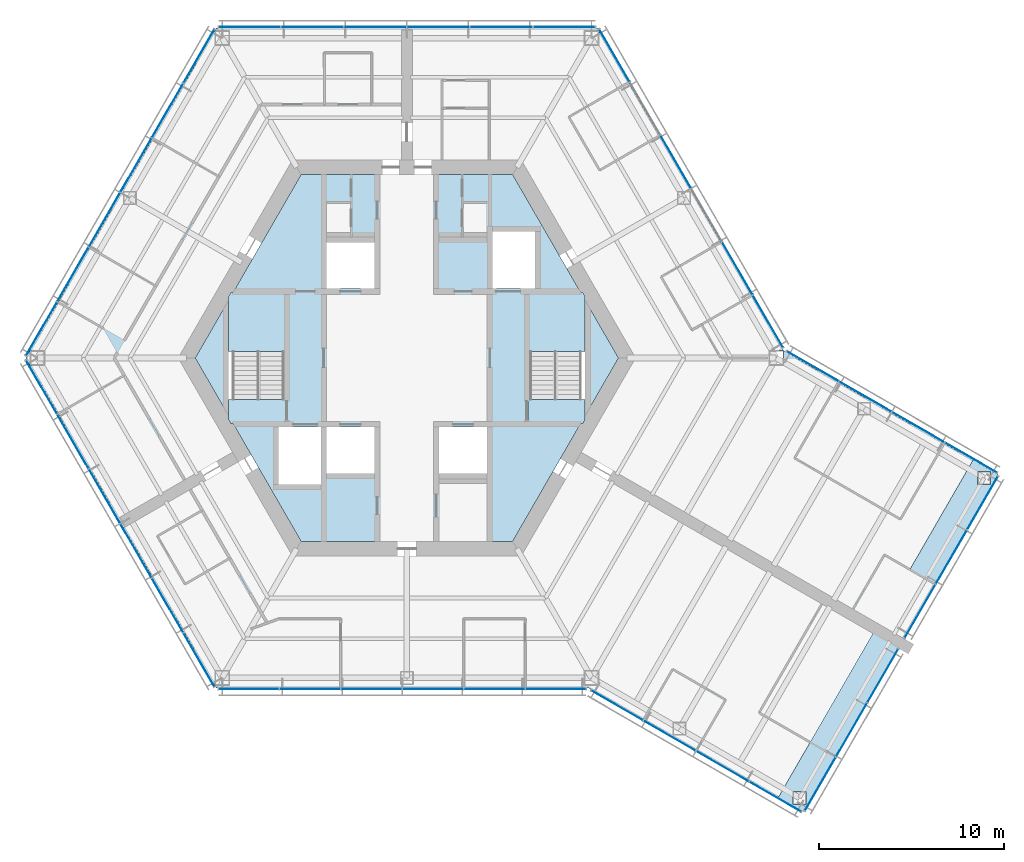
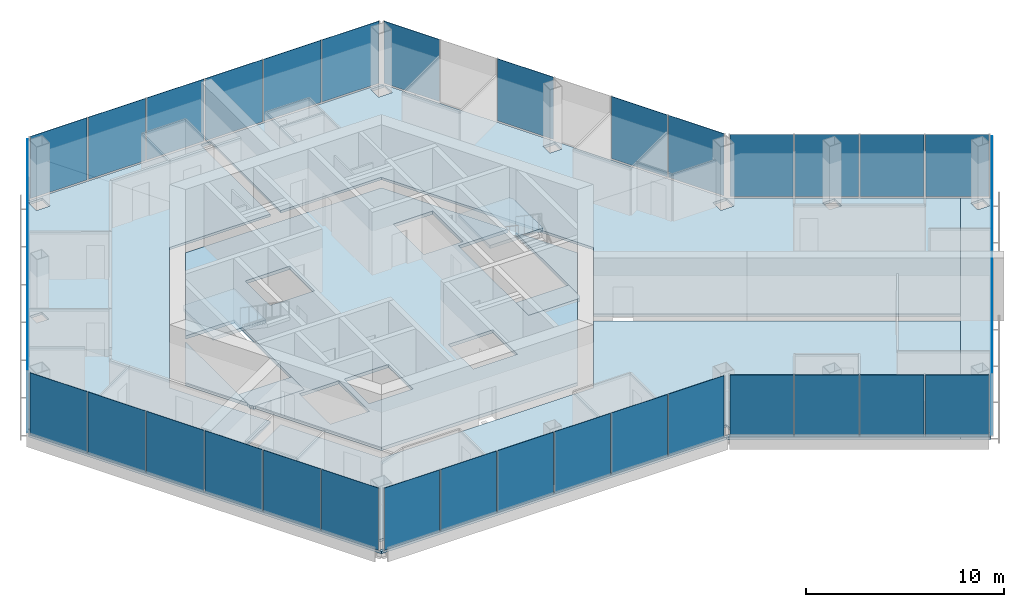
# One storey, part 8 of 16: 42 plates, 9 slabs, 11 elements without a shape of their own.
"""IFC4 building model written with IfcOpenShell, lengths in metres."""

from ifc_helpers import new_model, si_unit, direction, frame, origin, origin_2d, place, context, subcontext, project, spatial, polyline, rectangle, outline, extrude, material, layer, layer_set, type_object, element, aggregate, save


model = new_model("IFC4")

# Units and contexts
model_context = context("Model", 3, precision=1e-05, world=origin(), true_north=direction((0.0, 1.0)))
body_context = subcontext(model_context, "Body", "Model", "MODEL_VIEW")
ifc_project = project(units=[si_unit("LENGTHUNIT", "METRE"), si_unit("AREAUNIT", "SQUARE_METRE"), si_unit("VOLUMEUNIT", "CUBIC_METRE"), si_unit("PLANEANGLEUNIT", "RADIAN"), si_unit("MASSUNIT", "GRAM", prefix="KILO")], contexts=[model_context])

# Site, building, storey
site_placement = place(None, origin())
site = spatial("IfcSite", under=ifc_project, at=site_placement, CompositionType="ELEMENT")
building_placement = place(site_placement, origin())
building = spatial("IfcBuilding", under=site, at=building_placement, Name="Kasaneha Research Tower", CompositionType="ELEMENT")
storey_placement = place(building_placement, frame((0.0, 0.0, 251.800048828125)))
storey = spatial("IfcBuildingStorey", under=building, at=storey_placement, Name="L63", CompositionType="ELEMENT", Elevation=251.800048828125)

# Curtain wall, plates
ifc_material_1 = material(Name="Glass and aluminium", Category="aluminium")
curtain_wall_type = type_object("IfcCurtainWallType", Name="High-rise office curtain wall", PredefinedType="USERDEFINED", material=ifc_material_1)
curtain_wall_1_placement = place(storey_placement, origin())
curtain_wall_1 = element("IfcCurtainWall", 1, at=curtain_wall_1_placement, inside=storey, type_object=curtain_wall_type, Name="CW-O3 L63 run 01a", ObjectType="UNITISED CURTAIN WALL", PredefinedType="USERDEFINED")
ifc_material_2 = material(Name="Laminated double glazing", Category="glass")
ifc_layer_1 = layer(ifc_material_2, 0.02392578125)
ifc_layer_set_1 = layer_set([ifc_layer_1], Name="CW-O3 glazed panel")
plate_type = type_object("IfcPlateType", Name="CW-O3 glazed panel", PredefinedType="CURTAIN_PANEL", material=ifc_layer_set_1)
plate_1_placement = place(storey_placement, frame((19.549072265625, 1.981201171875, 0.06005859375), z_axis=(0.0, 0.0, 1.0), x_axis=(-0.499999979232, 0.866025415775, 0.0)))
plate_1 = element("IfcPlate", 2, at=plate_1_placement, type_object=plate_type, Name="CW-O3 panel 1", PredefinedType="CURTAIN_PANEL", context=body_context, shape_type="SweptSolid", body=[
    extrude(rectangle(XDim=3.240966796875, YDim=0.02392578125, at=origin_2d()), origin(), (0.0, 0.0, 1.0), 3.840087890625),
])
plate_2_placement = place(storey_placement, frame((17.89111328125, 4.852783203125, 0.06005859375), z_axis=(0.0, 0.0, 1.0), x_axis=(-0.499999979232, 0.866025415775, 0.0)))
plate_2 = element("IfcPlate", 3, at=plate_2_placement, type_object=plate_type, Name="CW-O3 panel 2", PredefinedType="CURTAIN_PANEL", context=body_context, shape_type="SweptSolid", body=[
    extrude(rectangle(XDim=3.27099609375, YDim=0.02392578125, at=origin_2d()), origin(), (0.0, 0.0, 1.0), 3.840087890625),
])
plate_3_placement = place(storey_placement, frame((14.56005859375, 10.622314453125, 0.06005859375), z_axis=(0.0, 0.0, 1.0), x_axis=(-0.499999979232, 0.866025415775, 0.0)))
plate_3 = element("IfcPlate", 4, at=plate_3_placement, type_object=plate_type, Name="CW-O3 panel 4", PredefinedType="CURTAIN_PANEL", context=body_context, shape_type="SweptSolid", body=[
    extrude(rectangle(XDim=3.27099609375, YDim=0.02392578125, at=origin_2d()), origin(), (0.0, 0.0, 1.0), 3.840087890625),
])
plate_4_placement = place(storey_placement, frame((11.236572265625, 16.378662109375, 0.06005859375), z_axis=(0.0, 0.0, 1.0), x_axis=(-0.499999979232, 0.866025415775, 0.0)))
plate_4 = element("IfcPlate", 5, at=plate_4_placement, type_object=plate_type, Name="CW-O3 panel 6", PredefinedType="CURTAIN_PANEL", context=body_context, shape_type="SweptSolid", body=[
    extrude(rectangle(XDim=3.240966796875, YDim=0.02392578125, at=origin_2d()), origin(), (0.0, 0.0, 1.0), 3.840087890625),
])
aggregate(curtain_wall_1, [plate_1, plate_2, plate_3, plate_4])

curtain_wall_2_placement = place(storey_placement, origin())
curtain_wall_2 = element("IfcCurtainWall", 6, at=curtain_wall_2_placement, inside=storey, type_object=curtain_wall_type, Name="CW-O3 L63 run 02a", ObjectType="UNITISED CURTAIN WALL", PredefinedType="USERDEFINED")
plate_5_placement = place(storey_placement, frame((8.523681640625, 17.92041015625, 0.06005859375), z_axis=(0.0, 0.0, 1.0), x_axis=(-1.0, 0.0, 0.0)))
plate_5 = element("IfcPlate", 7, at=plate_5_placement, type_object=plate_type, Name="CW-O3 panel 1", PredefinedType="CURTAIN_PANEL", context=body_context, shape_type="SweptSolid", body=[
    extrude(rectangle(XDim=3.325439453125, YDim=0.02392578125, at=origin_2d()), origin(), (0.0, 0.0, 1.0), 3.840087890625),
])
plate_6_placement = place(storey_placement, frame((5.123291015625, 17.92041015625, 0.06005859375), z_axis=(0.0, 0.0, 1.0), x_axis=(-1.0, 0.0, 0.0)))
plate_6 = element("IfcPlate", 8, at=plate_6_placement, type_object=plate_type, Name="CW-O3 panel 2", PredefinedType="CURTAIN_PANEL", context=body_context, shape_type="SweptSolid", body=[
    extrude(rectangle(XDim=3.35546875, YDim=0.02392578125, at=origin_2d()), origin(), (0.0, 0.0, 1.0), 3.840087890625),
])
plate_7_placement = place(storey_placement, frame((1.707763671875, 17.92041015625, 0.06005859375), z_axis=(0.0, 0.0, 1.0), x_axis=(-1.0, 0.0, 0.0)))
plate_7 = element("IfcPlate", 9, at=plate_7_placement, type_object=plate_type, Name="CW-O3 panel 3", PredefinedType="CURTAIN_PANEL", context=body_context, shape_type="SweptSolid", body=[
    extrude(rectangle(XDim=3.35546875, YDim=0.02392578125, at=origin_2d()), origin(), (0.0, 0.0, 1.0), 3.840087890625),
])
plate_8_placement = place(storey_placement, frame((-1.707763671875, 17.92041015625, 0.06005859375), z_axis=(0.0, 0.0, 1.0), x_axis=(-1.0, 0.0, 0.0)))
plate_8 = element("IfcPlate", 10, at=plate_8_placement, type_object=plate_type, Name="CW-O3 panel 4", PredefinedType="CURTAIN_PANEL", context=body_context, shape_type="SweptSolid", body=[
    extrude(rectangle(XDim=3.35546875, YDim=0.02392578125, at=origin_2d()), origin(), (0.0, 0.0, 1.0), 3.840087890625),
])
plate_9_placement = place(storey_placement, frame((-5.123291015625, 17.92041015625, 0.06005859375), z_axis=(0.0, 0.0, 1.0), x_axis=(-1.0, 0.0, 0.0)))
plate_9 = element("IfcPlate", 11, at=plate_9_placement, type_object=plate_type, Name="CW-O3 panel 5", PredefinedType="CURTAIN_PANEL", context=body_context, shape_type="SweptSolid", body=[
    extrude(rectangle(XDim=3.35546875, YDim=0.02392578125, at=origin_2d()), origin(), (0.0, 0.0, 1.0), 3.840087890625),
])
plate_10_placement = place(storey_placement, frame((-8.523681640625, 17.92041015625, 0.06005859375), z_axis=(0.0, 0.0, 1.0), x_axis=(-1.0, 0.0, 0.0)))
plate_10 = element("IfcPlate", 12, at=plate_10_placement, type_object=plate_type, Name="CW-O3 panel 6", PredefinedType="CURTAIN_PANEL", context=body_context, shape_type="SweptSolid", body=[
    extrude(rectangle(XDim=3.325439453125, YDim=0.02392578125, at=origin_2d()), origin(), (0.0, 0.0, 1.0), 3.840087890625),
])
aggregate(curtain_wall_2, [plate_5, plate_6, plate_7, plate_8, plate_9, plate_10])

curtain_wall_3_placement = place(storey_placement, origin())
curtain_wall_3 = element("IfcCurtainWall", 13, at=curtain_wall_3_placement, inside=storey, type_object=curtain_wall_type, Name="CW-O3 L63 run 03a", ObjectType="UNITISED CURTAIN WALL", PredefinedType="USERDEFINED")
plate_11_placement = place(storey_placement, frame((-11.2578125, 16.342041015625, 0.06005859375), z_axis=(0.0, 0.0, 1.0), x_axis=(-0.499999995722, -0.866025406254, 0.0)))
plate_11 = element("IfcPlate", 14, at=plate_11_placement, type_object=plate_type, Name="CW-O3 panel 1", PredefinedType="CURTAIN_PANEL", context=body_context, shape_type="SweptSolid", body=[
    extrude(rectangle(XDim=3.325439453125, YDim=0.02392578125, at=origin_2d()), origin(), (0.0, 0.0, 1.0), 3.840087890625),
])
plate_12_placement = place(storey_placement, frame((-12.9580078125, 13.39697265625, 0.06005859375), z_axis=(0.0, 0.0, 1.0), x_axis=(-0.499999995722, -0.866025406254, 0.0)))
plate_12 = element("IfcPlate", 15, at=plate_12_placement, type_object=plate_type, Name="CW-O3 panel 2", PredefinedType="CURTAIN_PANEL", context=body_context, shape_type="SweptSolid", body=[
    extrude(rectangle(XDim=3.35546875, YDim=0.02392578125, at=origin_2d()), origin(), (0.0, 0.0, 1.0), 3.840087890625),
])
plate_13_placement = place(storey_placement, frame((-14.665771484375, 10.439208984375, 0.06005859375), z_axis=(0.0, 0.0, 1.0), x_axis=(-0.499999995722, -0.866025406254, 0.0)))
plate_13 = element("IfcPlate", 16, at=plate_13_placement, type_object=plate_type, Name="CW-O3 panel 3", PredefinedType="CURTAIN_PANEL", context=body_context, shape_type="SweptSolid", body=[
    extrude(rectangle(XDim=3.35546875, YDim=0.02392578125, at=origin_2d()), origin(), (0.0, 0.0, 1.0), 3.840087890625),
])
plate_14_placement = place(storey_placement, frame((-16.37353515625, 7.481201171875, 0.06005859375), z_axis=(0.0, 0.0, 1.0), x_axis=(-0.499999995722, -0.866025406254, 0.0)))
plate_14 = element("IfcPlate", 17, at=plate_14_placement, type_object=plate_type, Name="CW-O3 panel 4", PredefinedType="CURTAIN_PANEL", context=body_context, shape_type="SweptSolid", body=[
    extrude(rectangle(XDim=3.35546875, YDim=0.02392578125, at=origin_2d()), origin(), (0.0, 0.0, 1.0), 3.840087890625),
])
plate_15_placement = place(storey_placement, frame((-18.081298828125, 4.5234375, 0.06005859375), z_axis=(0.0, 0.0, 1.0), x_axis=(-0.499999995722, -0.866025406254, 0.0)))
plate_15 = element("IfcPlate", 18, at=plate_15_placement, type_object=plate_type, Name="CW-O3 panel 5", PredefinedType="CURTAIN_PANEL", context=body_context, shape_type="SweptSolid", body=[
    extrude(rectangle(XDim=3.35546875, YDim=0.02392578125, at=origin_2d()), origin(), (0.0, 0.0, 1.0), 3.840087890625),
])
plate_16_placement = place(storey_placement, frame((-19.781494140625, 1.57861328125, 0.06005859375), z_axis=(0.0, 0.0, 1.0), x_axis=(-0.499999995722, -0.866025406254, 0.0)))
plate_16 = element("IfcPlate", 19, at=plate_16_placement, type_object=plate_type, Name="CW-O3 panel 6", PredefinedType="CURTAIN_PANEL", context=body_context, shape_type="SweptSolid", body=[
    extrude(rectangle(XDim=3.325439453125, YDim=0.02392578125, at=origin_2d()), origin(), (0.0, 0.0, 1.0), 3.840087890625),
])
aggregate(curtain_wall_3, [plate_11, plate_12, plate_13, plate_14, plate_15, plate_16])

curtain_wall_4_placement = place(storey_placement, origin())
curtain_wall_4 = element("IfcCurtainWall", 20, at=curtain_wall_4_placement, inside=storey, type_object=curtain_wall_type, Name="CW-O3 L63 run 04a", ObjectType="UNITISED CURTAIN WALL", PredefinedType="USERDEFINED")
plate_17_placement = place(storey_placement, frame((-19.781494140625, -1.57861328125, 0.06005859375), z_axis=(0.0, 0.0, 1.0), x_axis=(0.499999995722, -0.866025406254, 0.0)))
plate_17 = element("IfcPlate", 21, at=plate_17_placement, type_object=plate_type, Name="CW-O3 panel 1", PredefinedType="CURTAIN_PANEL", context=body_context, shape_type="SweptSolid", body=[
    extrude(rectangle(XDim=3.325439453125, YDim=0.02392578125, at=origin_2d()), origin(), (0.0, 0.0, 1.0), 3.840087890625),
])
plate_18_placement = place(storey_placement, frame((-18.081298828125, -4.5234375, 0.06005859375), z_axis=(0.0, 0.0, 1.0), x_axis=(0.499999995722, -0.866025406254, 0.0)))
plate_18 = element("IfcPlate", 22, at=plate_18_placement, type_object=plate_type, Name="CW-O3 panel 2", PredefinedType="CURTAIN_PANEL", context=body_context, shape_type="SweptSolid", body=[
    extrude(rectangle(XDim=3.35546875, YDim=0.02392578125, at=origin_2d()), origin(), (0.0, 0.0, 1.0), 3.840087890625),
])
plate_19_placement = place(storey_placement, frame((-16.37353515625, -7.481201171875, 0.06005859375), z_axis=(0.0, 0.0, 1.0), x_axis=(0.499999995722, -0.866025406254, 0.0)))
plate_19 = element("IfcPlate", 23, at=plate_19_placement, type_object=plate_type, Name="CW-O3 panel 3", PredefinedType="CURTAIN_PANEL", context=body_context, shape_type="SweptSolid", body=[
    extrude(rectangle(XDim=3.35546875, YDim=0.02392578125, at=origin_2d()), origin(), (0.0, 0.0, 1.0), 3.840087890625),
])
plate_20_placement = place(storey_placement, frame((-14.665771484375, -10.439208984375, 0.06005859375), z_axis=(0.0, 0.0, 1.0), x_axis=(0.499999995722, -0.866025406254, 0.0)))
plate_20 = element("IfcPlate", 24, at=plate_20_placement, type_object=plate_type, Name="CW-O3 panel 4", PredefinedType="CURTAIN_PANEL", context=body_context, shape_type="SweptSolid", body=[
    extrude(rectangle(XDim=3.35546875, YDim=0.02392578125, at=origin_2d()), origin(), (0.0, 0.0, 1.0), 3.840087890625),
])
plate_21_placement = place(storey_placement, frame((-12.9580078125, -13.39697265625, 0.06005859375), z_axis=(0.0, 0.0, 1.0), x_axis=(0.499999995722, -0.866025406254, 0.0)))
plate_21 = element("IfcPlate", 25, at=plate_21_placement, type_object=plate_type, Name="CW-O3 panel 5", PredefinedType="CURTAIN_PANEL", context=body_context, shape_type="SweptSolid", body=[
    extrude(rectangle(XDim=3.35546875, YDim=0.02392578125, at=origin_2d()), origin(), (0.0, 0.0, 1.0), 3.840087890625),
])
plate_22_placement = place(storey_placement, frame((-11.2578125, -16.342041015625, 0.06005859375), z_axis=(0.0, 0.0, 1.0), x_axis=(0.499999995722, -0.866025406254, 0.0)))
plate_22 = element("IfcPlate", 26, at=plate_22_placement, type_object=plate_type, Name="CW-O3 panel 6", PredefinedType="CURTAIN_PANEL", context=body_context, shape_type="SweptSolid", body=[
    extrude(rectangle(XDim=3.325439453125, YDim=0.02392578125, at=origin_2d()), origin(), (0.0, 0.0, 1.0), 3.840087890625),
])
aggregate(curtain_wall_4, [plate_17, plate_18, plate_19, plate_20, plate_21, plate_22])

curtain_wall_5_placement = place(storey_placement, origin())
curtain_wall_5 = element("IfcCurtainWall", 27, at=curtain_wall_5_placement, inside=storey, type_object=curtain_wall_type, Name="CW-O3 L63 run 05a", ObjectType="UNITISED CURTAIN WALL", PredefinedType="USERDEFINED")
plate_23_placement = place(storey_placement, frame((-8.56591796875, -17.92041015625, 0.06005859375), z_axis=(0.0, 0.0, 1.0), x_axis=(1.0, 0.0, 0.0)))
plate_23 = element("IfcPlate", 28, at=plate_23_placement, type_object=plate_type, Name="CW-O3 panel 1", PredefinedType="CURTAIN_PANEL", context=body_context, shape_type="SweptSolid", body=[
    extrude(rectangle(XDim=3.240966796875, YDim=0.02392578125, at=origin_2d()), origin(), (0.0, 0.0, 1.0), 3.840087890625),
])
plate_24_placement = place(storey_placement, frame((-5.25, -17.92041015625, 0.06005859375), z_axis=(0.0, 0.0, 1.0), x_axis=(1.0, 0.0, 0.0)))
plate_24 = element("IfcPlate", 29, at=plate_24_placement, type_object=plate_type, Name="CW-O3 panel 2", PredefinedType="CURTAIN_PANEL", context=body_context, shape_type="SweptSolid", body=[
    extrude(rectangle(XDim=3.27099609375, YDim=0.02392578125, at=origin_2d()), origin(), (0.0, 0.0, 1.0), 3.840087890625),
])
plate_25_placement = place(storey_placement, frame((-1.9189453125, -17.92041015625, 0.06005859375), z_axis=(0.0, 0.0, 1.0), x_axis=(1.0, 0.0, 0.0)))
plate_25 = element("IfcPlate", 30, at=plate_25_placement, type_object=plate_type, Name="CW-O3 panel 3", PredefinedType="CURTAIN_PANEL", context=body_context, shape_type="SweptSolid", body=[
    extrude(rectangle(XDim=3.27099609375, YDim=0.02392578125, at=origin_2d()), origin(), (0.0, 0.0, 1.0), 3.840087890625),
])
plate_26_placement = place(storey_placement, frame((1.411865234375, -17.92041015625, 0.06005859375), z_axis=(0.0, 0.0, 1.0), x_axis=(1.0, 0.0, 0.0)))
plate_26 = element("IfcPlate", 31, at=plate_26_placement, type_object=plate_type, Name="CW-O3 panel 4", PredefinedType="CURTAIN_PANEL", context=body_context, shape_type="SweptSolid", body=[
    extrude(rectangle(XDim=3.27099609375, YDim=0.02392578125, at=origin_2d()), origin(), (0.0, 0.0, 1.0), 3.840087890625),
])
plate_27_placement = place(storey_placement, frame((4.742919921875, -17.92041015625, 0.06005859375), z_axis=(0.0, 0.0, 1.0), x_axis=(1.0, 0.0, 0.0)))
plate_27 = element("IfcPlate", 32, at=plate_27_placement, type_object=plate_type, Name="CW-O3 panel 5", PredefinedType="CURTAIN_PANEL", context=body_context, shape_type="SweptSolid", body=[
    extrude(rectangle(XDim=3.27099609375, YDim=0.02392578125, at=origin_2d()), origin(), (0.0, 0.0, 1.0), 3.840087890625),
])
plate_28_placement = place(storey_placement, frame((8.058837890625, -17.92041015625, 0.06005859375), z_axis=(0.0, 0.0, 1.0), x_axis=(1.0, 0.0, 0.0)))
plate_28 = element("IfcPlate", 33, at=plate_28_placement, type_object=plate_type, Name="CW-O3 panel 6", PredefinedType="CURTAIN_PANEL", context=body_context, shape_type="SweptSolid", body=[
    extrude(rectangle(XDim=3.240966796875, YDim=0.02392578125, at=origin_2d()), origin(), (0.0, 0.0, 1.0), 3.840087890625),
])
aggregate(curtain_wall_5, [plate_23, plate_24, plate_25, plate_26, plate_27, plate_28])

curtain_wall_6_placement = place(storey_placement, origin())
curtain_wall_6 = element("IfcCurtainWall", 34, at=curtain_wall_6_placement, inside=storey, type_object=curtain_wall_type, Name="CW-O3 L63 run 06a", ObjectType="UNITISED CURTAIN WALL", PredefinedType="USERDEFINED")
plate_29_placement = place(storey_placement, frame((11.3720703125, -18.805419921875, 0.06005859375), z_axis=(0.0, 0.0, 1.0), x_axis=(0.866025411464, -0.499999986699, 0.0)))
plate_29 = element("IfcPlate", 35, at=plate_29_placement, type_object=plate_type, Name="CW-O3 panel 1", PredefinedType="CURTAIN_PANEL", context=body_context, shape_type="SweptSolid", body=[
    extrude(rectangle(XDim=3.2197265625, YDim=0.02392578125, at=origin_2d()), origin(), (0.0, 0.0, 1.0), 3.840087890625),
])
plate_30_placement = place(storey_placement, frame((14.225341796875, -20.452880859375, 0.06005859375), z_axis=(0.0, 0.0, 1.0), x_axis=(0.866025411464, -0.499999986699, 0.0)))
plate_30 = element("IfcPlate", 36, at=plate_30_placement, type_object=plate_type, Name="CW-O3 panel 2", PredefinedType="CURTAIN_PANEL", context=body_context, shape_type="SweptSolid", body=[
    extrude(rectangle(XDim=3.249755859375, YDim=0.02392578125, at=origin_2d()), origin(), (0.0, 0.0, 1.0), 3.840087890625),
])
plate_31_placement = place(storey_placement, frame((17.091796875, -22.107666015625, 0.06005859375), z_axis=(0.0, 0.0, 1.0), x_axis=(0.866025411464, -0.499999986699, 0.0)))
plate_31 = element("IfcPlate", 37, at=plate_31_placement, type_object=plate_type, Name="CW-O3 panel 3", PredefinedType="CURTAIN_PANEL", context=body_context, shape_type="SweptSolid", body=[
    extrude(rectangle(XDim=3.249755859375, YDim=0.02392578125, at=origin_2d()), origin(), (0.0, 0.0, 1.0), 3.840087890625),
])
plate_32_placement = place(storey_placement, frame((19.945068359375, -23.755126953125, 0.06005859375), z_axis=(0.0, 0.0, 1.0), x_axis=(0.866025411464, -0.499999986699, 0.0)))
plate_32 = element("IfcPlate", 38, at=plate_32_placement, type_object=plate_type, Name="CW-O3 panel 4", PredefinedType="CURTAIN_PANEL", context=body_context, shape_type="SweptSolid", body=[
    extrude(rectangle(XDim=3.2197265625, YDim=0.02392578125, at=origin_2d()), origin(), (0.0, 0.0, 1.0), 3.840087890625),
])
aggregate(curtain_wall_6, [plate_29, plate_30, plate_31, plate_32])

curtain_wall_7_placement = place(storey_placement, origin())
curtain_wall_7 = element("IfcCurtainWall", 39, at=curtain_wall_7_placement, inside=storey, type_object=curtain_wall_type, Name="CW-O3 L63 run 07a", ObjectType="UNITISED CURTAIN WALL", PredefinedType="USERDEFINED")
plate_33_placement = place(storey_placement, frame((22.385498046875, -23.068359375, 0.06005859375), z_axis=(0.0, 0.0, 1.0), x_axis=(0.500000011442, 0.866025397178, 0.0)))
plate_33 = element("IfcPlate", 40, at=plate_33_placement, type_object=plate_type, Name="CW-O3 panel 1", PredefinedType="CURTAIN_PANEL", context=body_context, shape_type="SweptSolid", body=[
    extrude(rectangle(XDim=3.31005859375, YDim=0.02392578125, at=origin_2d()), origin(), (0.0, 0.0, 1.0), 3.840087890625),
])
plate_34_placement = place(storey_placement, frame((24.077880859375, -20.13671875, 0.06005859375), z_axis=(0.0, 0.0, 1.0), x_axis=(0.500000011442, 0.866025397178, 0.0)))
plate_34 = element("IfcPlate", 41, at=plate_34_placement, type_object=plate_type, Name="CW-O3 panel 2", PredefinedType="CURTAIN_PANEL", context=body_context, shape_type="SweptSolid", body=[
    extrude(rectangle(XDim=3.340087890625, YDim=0.02392578125, at=origin_2d()), origin(), (0.0, 0.0, 1.0), 3.840087890625),
])
plate_35_placement = place(storey_placement, frame((25.7705078125, -17.205322265625, 0.06005859375), z_axis=(0.0, 0.0, 1.0), x_axis=(0.500000011442, 0.866025397178, 0.0)))
plate_35 = element("IfcPlate", 42, at=plate_35_placement, type_object=plate_type, Name="CW-O3 panel 3", PredefinedType="CURTAIN_PANEL", context=body_context, shape_type="SweptSolid", body=[
    extrude(rectangle(XDim=3.31005859375, YDim=0.02392578125, at=origin_2d()), origin(), (0.0, 0.0, 1.0), 3.840087890625),
])
aggregate(curtain_wall_7, [plate_33, plate_34, plate_35])

curtain_wall_8_placement = place(storey_placement, origin())
curtain_wall_8 = element("IfcCurtainWall", 43, at=curtain_wall_8_placement, inside=storey, type_object=curtain_wall_type, Name="CW-O3 L63 run 08a", ObjectType="UNITISED CURTAIN WALL", PredefinedType="USERDEFINED")
plate_36_placement = place(storey_placement, frame((27.785400390625, -13.71533203125, 0.06005859375), z_axis=(0.0, 0.0, 1.0), x_axis=(0.500000011442, 0.866025397178, 0.0)))
plate_36 = element("IfcPlate", 44, at=plate_36_placement, type_object=plate_type, Name="CW-O3 panel 1", PredefinedType="CURTAIN_PANEL", context=body_context, shape_type="SweptSolid", body=[
    extrude(rectangle(XDim=3.31005859375, YDim=0.02392578125, at=origin_2d()), origin(), (0.0, 0.0, 1.0), 3.840087890625),
])
plate_37_placement = place(storey_placement, frame((29.47802734375, -10.78369140625, 0.06005859375), z_axis=(0.0, 0.0, 1.0), x_axis=(0.500000011442, 0.866025397178, 0.0)))
plate_37 = element("IfcPlate", 45, at=plate_37_placement, type_object=plate_type, Name="CW-O3 panel 2", PredefinedType="CURTAIN_PANEL", context=body_context, shape_type="SweptSolid", body=[
    extrude(rectangle(XDim=3.340087890625, YDim=0.02392578125, at=origin_2d()), origin(), (0.0, 0.0, 1.0), 3.840087890625),
])
plate_38_placement = place(storey_placement, frame((31.17041015625, -7.852294921875, 0.06005859375), z_axis=(0.0, 0.0, 1.0), x_axis=(0.500000011442, 0.866025397178, 0.0)))
plate_38 = element("IfcPlate", 46, at=plate_38_placement, type_object=plate_type, Name="CW-O3 panel 3", PredefinedType="CURTAIN_PANEL", context=body_context, shape_type="SweptSolid", body=[
    extrude(rectangle(XDim=3.31005859375, YDim=0.02392578125, at=origin_2d()), origin(), (0.0, 0.0, 1.0), 3.840087890625),
])
aggregate(curtain_wall_8, [plate_36, plate_37, plate_38])

curtain_wall_9_placement = place(storey_placement, origin())
curtain_wall_9 = element("IfcCurtainWall", 47, at=curtain_wall_9_placement, inside=storey, type_object=curtain_wall_type, Name="CW-O3 L63 run 09a", ObjectType="UNITISED CURTAIN WALL", PredefinedType="USERDEFINED")
plate_39_placement = place(storey_placement, frame((30.545166015625, -5.3955078125, 0.06005859375), z_axis=(0.0, 0.0, 1.0), x_axis=(-0.866025411464, 0.499999986699, 0.0)))
plate_39 = element("IfcPlate", 48, at=plate_39_placement, type_object=plate_type, Name="CW-O3 panel 1", PredefinedType="CURTAIN_PANEL", context=body_context, shape_type="SweptSolid", body=[
    extrude(rectangle(XDim=3.2197265625, YDim=0.02392578125, at=origin_2d()), origin(), (0.0, 0.0, 1.0), 3.840087890625),
])
plate_40_placement = place(storey_placement, frame((27.69189453125, -3.748046875, 0.06005859375), z_axis=(0.0, 0.0, 1.0), x_axis=(-0.866025411464, 0.499999986699, 0.0)))
plate_40 = element("IfcPlate", 49, at=plate_40_placement, type_object=plate_type, Name="CW-O3 panel 2", PredefinedType="CURTAIN_PANEL", context=body_context, shape_type="SweptSolid", body=[
    extrude(rectangle(XDim=3.249755859375, YDim=0.02392578125, at=origin_2d()), origin(), (0.0, 0.0, 1.0), 3.840087890625),
])
plate_41_placement = place(storey_placement, frame((24.825439453125, -2.093017578125, 0.06005859375), z_axis=(0.0, 0.0, 1.0), x_axis=(-0.866025411464, 0.499999986699, 0.0)))
plate_41 = element("IfcPlate", 50, at=plate_41_placement, type_object=plate_type, Name="CW-O3 panel 3", PredefinedType="CURTAIN_PANEL", context=body_context, shape_type="SweptSolid", body=[
    extrude(rectangle(XDim=3.249755859375, YDim=0.02392578125, at=origin_2d()), origin(), (0.0, 0.0, 1.0), 3.840087890625),
])
plate_42_placement = place(storey_placement, frame((21.971923828125, -0.44580078125, 0.06005859375), z_axis=(0.0, 0.0, 1.0), x_axis=(-0.866025411464, 0.499999986699, 0.0)))
plate_42 = element("IfcPlate", 51, at=plate_42_placement, type_object=plate_type, Name="CW-O3 panel 4", PredefinedType="CURTAIN_PANEL", context=body_context, shape_type="SweptSolid", body=[
    extrude(rectangle(XDim=3.2197265625, YDim=0.02392578125, at=origin_2d()), origin(), (0.0, 0.0, 1.0), 3.840087890625),
])
aggregate(curtain_wall_9, [plate_39, plate_40, plate_41, plate_42])

# Slabs
ifc_material_3 = material(Name="Concrete Fc24", Category="concrete")
ifc_layer_2 = layer(ifc_material_3, 0.199951171875)
ifc_layer_set_2 = layer_set([ifc_layer_2], Name="Core floor slab 200")
slab_type_1 = type_object("IfcSlabType", Name="Core floor slab 200", PredefinedType="FLOOR", material=ifc_layer_set_2)
slab_1_placement = place(storey_placement, frame((0.0, 0.0, -0.199951171875)))
element("IfcSlab", 52, at=slab_1_placement, inside=storey, type_object=slab_type_1, Name="Core slab L63", PredefinedType="FLOOR", context=body_context, shape_type="SweptSolid", body=[
    extrude(outline(polyline([(-11.46044921875, 0.0), (-9.64990234375, 3.1357421875), (-9.64990234375, -3.1357421875), (-11.46044921875, 0.0)])), origin(), (0.0, 0.0, 1.0), 0.199951171875),
])
slab_2_placement = place(storey_placement, frame((0.0, 0.0, -0.199951171875)))
element("IfcSlab", 53, at=slab_2_placement, inside=storey, type_object=slab_type_1, Name="Core slab L63", PredefinedType="FLOOR", context=body_context, shape_type="SweptSolid", body=[
    extrude(outline(polyline([(-5.730224609375, 9.925048828125), (5.730224609375, 9.925048828125), (9.410888671875, 3.550048828125), (6.550048828125, 3.550048828125), (6.550048828125, -3.550048828125), (9.410888671875, -3.550048828125), (5.730224609375, -9.925048828125), (-5.730224609375, -9.925048828125), (-9.410888671875, -3.550048828125), (-6.550048828125, -3.550048828125), (-6.550048828125, 3.550048828125), (-9.410888671875, 3.550048828125), (-5.730224609375, 9.925048828125)]), holes=[polyline([(-6.949951171875, -6.85009765625), (-4.64990234375, -6.85009765625), (-4.64990234375, -3.75), (-6.949951171875, -3.75), (-6.949951171875, -6.85009765625)]), polyline([(-4.35009765625, -3.75), (-4.35009765625, -6.25), (-1.75, -6.25), (-1.75, -3.75), (-4.35009765625, -3.75)]), polyline([(1.75, -3.75), (1.75, -6.25), (4.35009765625, -6.25), (4.35009765625, -3.75), (1.75, -3.75)]), polyline([(-4.35009765625, 6.25), (-4.35009765625, 3.75), (-1.75, 3.75), (-1.75, 6.25), (-4.35009765625, 6.25)]), polyline([(4.64990234375, 6.85009765625), (4.64990234375, 3.75), (6.949951171875, 3.75), (6.949951171875, 6.85009765625), (4.64990234375, 6.85009765625)])]), origin(), (0.0, 0.0, 1.0), 0.199951171875),
])
slab_3_placement = place(storey_placement, frame((0.0, 0.0, -0.199951171875)))
element("IfcSlab", 54, at=slab_3_placement, inside=storey, type_object=slab_type_1, Name="Core slab L63", PredefinedType="FLOOR", context=body_context, shape_type="SweptSolid", body=[
    extrude(outline(polyline([(11.46044921875, 0.0), (9.64990234375, -3.1357421875), (9.64990234375, 3.1357421875), (11.46044921875, 0.0)])), origin(), (0.0, 0.0, 1.0), 0.199951171875),
])
ifc_material_4 = material(Name="Concrete Fc24", Category="concrete")
ifc_layer_3 = layer(ifc_material_4, 0.14990234375)
ifc_layer_set_3 = layer_set([ifc_layer_3], Name="Floor slab 150")
slab_type_2 = type_object("IfcSlabType", Name="Floor slab 150", PredefinedType="FLOOR", material=ifc_layer_set_3)
slab_4_placement = place(storey_placement, frame((0.0, 0.0, -0.150146484375)))
element("IfcSlab", 55, at=slab_4_placement, inside=storey, type_object=slab_type_2, Name="Floor slab L63 1", PredefinedType="FLOOR", context=body_context, shape_type="SweptSolid", body=[
    extrude(outline(polyline([(-10.317626953125, -17.87060546875), (-10.3974609375, -17.732177734375), (-10.385986328125, -17.720703125), (-9.599853515625, -17.720703125), (-9.599853515625, -16.92041015625), (-10.400146484375, -16.92041015625), (-10.400146484375, -17.70654296875), (-10.40771484375, -17.714111328125), (-20.635009765625, 0.0), (-20.40771484375, 0.3935546875), (-20.400146484375, 0.385986328125), (-20.400146484375, -0.400146484375), (-19.599853515625, -0.400146484375), (-19.599853515625, 0.400146484375), (-20.385986328125, 0.400146484375), (-20.3974609375, 0.41162109375), (-10.40771484375, 17.714111328125), (-10.400146484375, 17.70654296875), (-10.400146484375, 16.92041015625), (-9.599853515625, 16.92041015625), (-9.599853515625, 17.720703125), (-10.385986328125, 17.720703125), (-10.3974609375, 17.732177734375), (-10.317626953125, 17.87060546875), (10.317626953125, 17.87060546875), (10.3974609375, 17.732177734375), (10.385986328125, 17.720703125), (9.599853515625, 17.720703125), (9.599853515625, 16.92041015625), (10.400146484375, 16.92041015625), (10.400146484375, 17.70654296875), (10.40771484375, 17.714111328125), (20.3974609375, 0.41162109375), (20.385986328125, 0.400146484375), (19.599853515625, 0.400146484375), (19.599853515625, -0.400146484375), (20.400146484375, -0.400146484375), (20.400146484375, 0.385986328125), (20.41162109375, 0.3974609375), (30.65869140625, -5.518798828125), (25.53369140625, -14.3955078125), (9.438232421875, -5.102783203125), (12.38427734375, 0.0), (6.192138671875, 10.72509765625), (0.300048828125, 10.72509765625), (0.300048828125, 17.7705078125), (-0.300048828125, 17.7705078125), (-0.300048828125, 10.72509765625), (-6.192138671875, 10.72509765625), (-12.38427734375, 0.0), (-9.438232421875, -5.102783203125), (-15.539794921875, -8.62548828125), (-15.23974609375, -9.14501953125), (-9.13818359375, -5.622314453125), (-6.192138671875, -10.72509765625), (6.192138671875, -10.72509765625), (9.13818359375, -5.622314453125), (25.233642578125, -14.9150390625), (20.108642578125, -23.791748046875), (9.8525390625, -17.87060546875), (-10.317626953125, -17.87060546875)]), holes=[polyline([(-0.35009765625, -17.67041015625), (0.35009765625, -17.67041015625), (0.35009765625, -16.970458984375), (-0.35009765625, -16.970458984375), (-0.35009765625, -17.67041015625)]), polyline([(-15.35009765625, 8.310302734375), (-14.64990234375, 8.310302734375), (-14.64990234375, 9.01025390625), (-15.35009765625, 9.01025390625), (-15.35009765625, 8.310302734375)]), polyline([(14.4130859375, -20.42041015625), (15.113037109375, -20.42041015625), (15.113037109375, -19.720458984375), (14.4130859375, -19.720458984375), (14.4130859375, -20.42041015625)]), polyline([(9.60009765625, -17.720458984375), (10.39990234375, -17.720458984375), (10.39990234375, -16.92041015625), (9.60009765625, -16.92041015625), (9.60009765625, -17.720458984375)]), polyline([(24.4130859375, -3.10009765625), (25.113037109375, -3.10009765625), (25.113037109375, -2.39990234375), (24.4130859375, -2.39990234375), (24.4130859375, -3.10009765625)]), polyline([(14.64990234375, 9.01025390625), (14.64990234375, 8.310302734375), (15.35009765625, 8.310302734375), (15.35009765625, 9.01025390625), (14.64990234375, 9.01025390625)])]), origin(), (0.0, 0.0, 1.0), 0.150146484375),
])
slab_5_placement = place(storey_placement, frame((0.0, 0.0, -0.150146484375)))
element("IfcSlab", 56, at=slab_5_placement, inside=storey, type_object=slab_type_2, Name="Floor slab L63 2", PredefinedType="FLOOR", context=body_context, shape_type="SweptSolid", body=[
    extrude(outline(polyline([(32.009521484375, -6.298583984375), (21.459716796875, -24.57177734375), (20.108642578125, -23.791748046875), (25.233642578125, -14.9150390625), (25.2421875, -14.920166015625), (25.542236328125, -14.400390625), (25.53369140625, -14.3955078125), (30.65869140625, -5.518798828125), (32.009521484375, -6.298583984375)]), holes=[polyline([(20.908447265625, -24.17041015625), (21.6083984375, -24.17041015625), (21.6083984375, -23.470458984375), (20.908447265625, -23.470458984375), (20.908447265625, -24.17041015625)]), polyline([(30.908447265625, -6.85009765625), (31.6083984375, -6.85009765625), (31.6083984375, -6.14990234375), (30.908447265625, -6.14990234375), (30.908447265625, -6.85009765625)])]), origin(), (0.0, 0.0, 1.0), 0.150146484375),
])

# Stair, slabs
ifc_material_5 = material(Name="Concrete Fc24", Category="concrete")
stair_type = type_object("IfcStairType", Name="Half-turn stair 22 risers", PredefinedType="HALF_TURN_STAIR", material=ifc_material_5)
stair_1_placement = place(storey_placement, origin())
stair_1 = element("IfcStair", 57, at=stair_1_placement, inside=storey, type_object=stair_type, Name="Stair 1 L63", PredefinedType="HALF_TURN_STAIR")
ifc_material_6 = material(Name="Concrete Fc24", Category="concrete")
ifc_layer_4 = layer(ifc_material_6, 0.199951171875)
ifc_layer_set_4 = layer_set([ifc_layer_4], Name="Stair 1 landing 200")
slab_type_3 = type_object("IfcSlabType", Name="Stair 1 landing 200", PredefinedType="LANDING", material=ifc_layer_set_4)
slab_6_placement = place(storey_placement, frame((0.0, 0.0, -0.199951171875)))
slab_6 = element("IfcSlab", 58, at=slab_6_placement, type_object=slab_type_3, Name="ST1-22R landing 1", PredefinedType="LANDING", context=body_context, shape_type="SweptSolid", body=[
    extrude(outline(polyline([(9.5263671875, -3.550048828125), (6.550048828125, -3.550048828125), (6.550048828125, -2.25), (9.64990234375, -2.25), (9.64990234375, -3.335693359375), (9.5263671875, -3.550048828125)])), origin(), (0.0, 0.0, 1.0), 0.199951171875),
])
slab_7_placement = place(storey_placement, frame((0.0, 0.0, 1.75)))
slab_7 = element("IfcSlab", 59, at=slab_7_placement, type_object=slab_type_3, Name="ST1-22R landing 2", PredefinedType="LANDING", context=body_context, shape_type="SweptSolid", body=[
    extrude(outline(polyline([(6.550048828125, 3.550048828125), (9.5263671875, 3.550048828125), (9.64990234375, 3.335693359375), (9.64990234375, 0.35009765625), (6.550048828125, 0.35009765625), (6.550048828125, 3.550048828125)])), origin(), (0.0, 0.0, 1.0), 0.199951171875),
])
aggregate(stair_1, [slab_6, slab_7])

stair_2_placement = place(storey_placement, origin())
stair_2 = element("IfcStair", 60, at=stair_2_placement, inside=storey, type_object=stair_type, Name="Stair 2 L63", PredefinedType="HALF_TURN_STAIR")
ifc_material_7 = material(Name="Concrete Fc24", Category="concrete")
ifc_layer_5 = layer(ifc_material_7, 0.199951171875)
ifc_layer_set_5 = layer_set([ifc_layer_5], Name="Stair 2 landing 200")
slab_type_4 = type_object("IfcSlabType", Name="Stair 2 landing 200", PredefinedType="LANDING", material=ifc_layer_set_5)
slab_8_placement = place(storey_placement, frame((0.0, 0.0, -0.199951171875)))
slab_8 = element("IfcSlab", 61, at=slab_8_placement, type_object=slab_type_4, Name="ST2-22R landing 1", PredefinedType="LANDING", context=body_context, shape_type="SweptSolid", body=[
    extrude(outline(polyline([(-6.550048828125, -3.550048828125), (-9.5263671875, -3.550048828125), (-9.64990234375, -3.335693359375), (-9.64990234375, -2.25), (-6.550048828125, -2.25), (-6.550048828125, -3.550048828125)])), origin(), (0.0, 0.0, 1.0), 0.199951171875),
])
slab_9_placement = place(storey_placement, frame((0.0, 0.0, 1.75)))
slab_9 = element("IfcSlab", 62, at=slab_9_placement, type_object=slab_type_4, Name="ST2-22R landing 2", PredefinedType="LANDING", context=body_context, shape_type="SweptSolid", body=[
    extrude(outline(polyline([(-6.550048828125, 0.35009765625), (-9.64990234375, 0.35009765625), (-9.64990234375, 3.335693359375), (-9.5263671875, 3.550048828125), (-6.550048828125, 3.550048828125), (-6.550048828125, 0.35009765625)])), origin(), (0.0, 0.0, 1.0), 0.199951171875),
])
aggregate(stair_2, [slab_8, slab_9])

save(model, "model.ifc")
